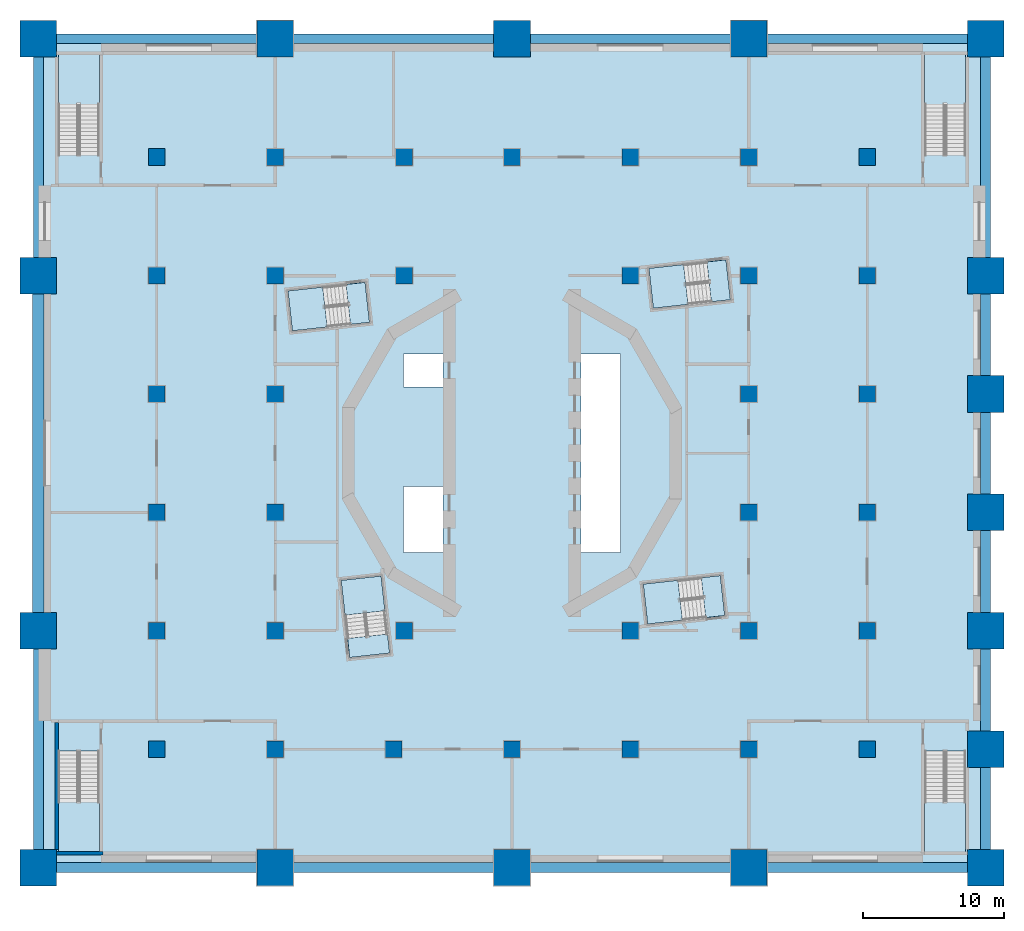
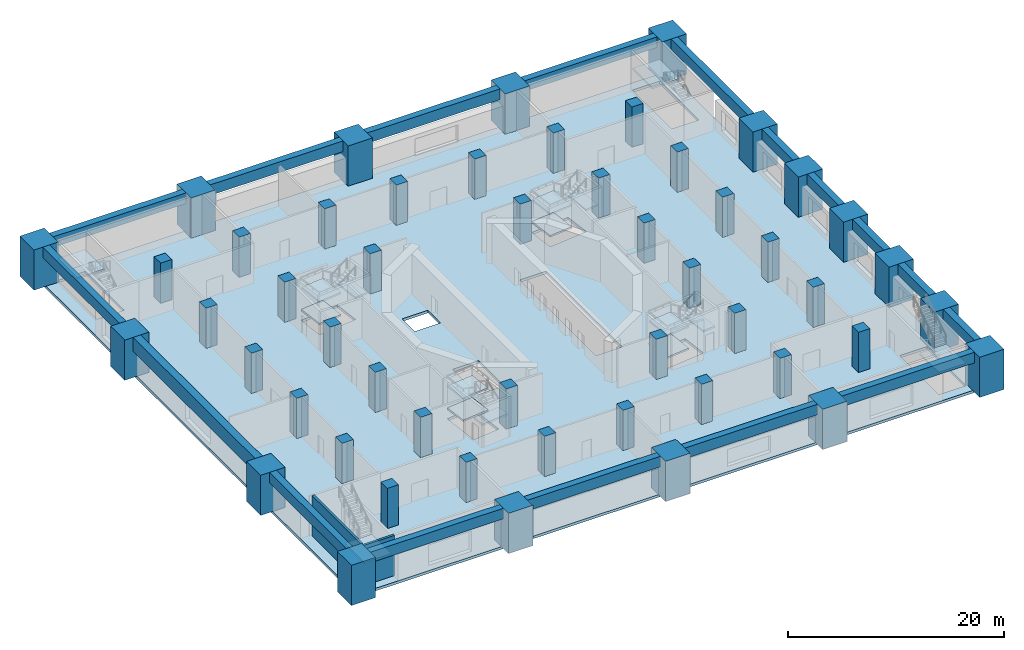
# One storey, part 1 of 17: 51 columns, 17 beams, 17 slabs, 2 walls, 8 elements without a shape of their own.
"""IFC4 building model written with IfcOpenShell, lengths in metres."""

import ifcopenshell
import ifcopenshell.guid

model = None  # the IFC model being written
_history = None  # IfcOwnerHistory: only IFC2X3 demands one
_inside = {}  # id of a spatial element -> (the spatial element, [elements in it])
_under = {}  # id of a project, library or spatial element -> (it, [spatial elements below it])
_declared = {}  # id of a project -> (the project, [libraries it declares])
_typed = {}  # id of a type object -> (the type object, [elements of that type])
_made_of = {}  # id of a material, layer set ... -> (it, [elements and type objects made of it])


def new_model(schema):
    """Start an empty IFC model of exactly this schema.

    Asked for "IFC4X3", IfcOpenShell would pick the latest addendum, in which some entities
    have other attributes; the version numbers below select the first issue.
    IFC2X3 requires an IfcOwnerHistory on every rooted entity: one is made here for all.
    """
    global model, _history
    if schema == "IFC4X3":
        model = ifcopenshell.file(schema_version=(4, 3, 0, 0))
    else:
        model = ifcopenshell.file(schema=schema)
    _inside.clear()
    _under.clear()
    _declared.clear()
    _typed.clear()
    _made_of.clear()
    _history = None
    if model.schema == "IFC2X3":
        org = make("IfcOrganization", Name="unknown")
        user = make(
            "IfcPersonAndOrganization",
            ThePerson=make("IfcPerson", FamilyName="unknown"),
            TheOrganization=org,
        )
        app = make(
            "IfcApplication",
            ApplicationDeveloper=org,
            Version="unknown",
            ApplicationFullName="unknown",
            ApplicationIdentifier="unknown",
        )
        _history = make(
            "IfcOwnerHistory",
            OwningUser=user,
            OwningApplication=app,
            ChangeAction="ADDED",
            CreationDate=0,
        )
    return model


def make(cls, **values):
    """One entity of the class cls with the attributes given. An attribute that is None is left unset."""
    return model.create_entity(
        cls, **{name: value for name, value in values.items() if value is not None}
    )


def rooted(cls, **values):
    """An entity with a GlobalId (a new one), such as an element, a storey or a relation."""
    return make(cls, GlobalId=ifcopenshell.guid.new(), OwnerHistory=_history, **values)


def si_unit(unit_type, name, prefix=None):
    """IfcSIUnit, for example si_unit("LENGTHUNIT", "METRE", prefix="MILLI")."""
    return make("IfcSIUnit", UnitType=unit_type, Prefix=prefix, Name=name)


def assignment(units):
    """IfcUnitAssignment: the units of a project."""
    return None if units is None else make("IfcUnitAssignment", Units=units)


def point(xyz):
    """IfcCartesianPoint."""
    return None if xyz is None else make("IfcCartesianPoint", Coordinates=xyz)


def direction(xyz):
    """IfcDirection."""
    return None if xyz is None else make("IfcDirection", DirectionRatios=xyz)


def frame(location, z_axis=None, x_axis=None):
    """IfcAxis2Placement3D, a coordinate frame: its origin and axes. An axis left out is left unset."""
    return make(
        "IfcAxis2Placement3D",
        Location=point(location),
        Axis=direction(z_axis),
        RefDirection=direction(x_axis),
    )


def frame_2d(location, x_axis=None):
    """IfcAxis2Placement2D, a coordinate frame in the plane: its origin and x axis."""
    return make(
        "IfcAxis2Placement2D", Location=point(location), RefDirection=direction(x_axis)
    )


def origin():
    """The frame at (0, 0, 0) with its axes left unset."""
    return frame((0.0, 0.0, 0.0))


def origin_2d():
    """The frame at (0, 0) in the plane with its x axis left unset."""
    return frame_2d((0.0, 0.0))


def place(relative_to, where):
    """IfcLocalPlacement: puts the frame where relative to a parent placement (None: the world)."""
    return make(
        "IfcLocalPlacement", PlacementRelTo=relative_to, RelativePlacement=where
    )


def context(
    kind, dimensions, precision=None, world=None, true_north=None, identifier=None
):
    """IfcGeometricRepresentationContext, for example the 3D "Model" context."""
    return make(
        "IfcGeometricRepresentationContext",
        ContextIdentifier=identifier,
        ContextType=kind,
        CoordinateSpaceDimension=dimensions,
        Precision=precision,
        WorldCoordinateSystem=world,
        TrueNorth=true_north,
    )


def subcontext(parent, identifier, kind, view, scale=None):
    """IfcGeometricRepresentationSubContext, for example "Body" below "Model"."""
    return make(
        "IfcGeometricRepresentationSubContext",
        ContextIdentifier=identifier,
        ContextType=kind,
        ParentContext=parent,
        TargetScale=scale,
        TargetView=view,
    )


def project(units=None, contexts=None):
    """IfcProject with its units and contexts."""
    return rooted(
        "IfcProject",
        Name="project",
        RepresentationContexts=contexts,
        UnitsInContext=assignment(units),
    )


def spatial(cls, under=None, at=None, **own):
    """A site, building, storey or space (cls), placed at a placement, below another one or the project."""
    s = rooted(cls, ObjectPlacement=at, **own)
    if under is not None:
        _under.setdefault(under.id(), (under, []))[1].append(s)
    return s


def polyline(points):
    """IfcPolyline through the points."""
    return make("IfcPolyline", Points=[point(p) for p in points])


def profile(cls, at=None, kind="AREA", **sizes):
    """A parametric profile (cls). Its sizes go by their IFC names, for example OverallWidth=200.0."""
    return make(cls, ProfileType=kind, Position=at, **sizes)


def rectangle(**sizes):
    """IfcRectangleProfileDef."""
    return profile("IfcRectangleProfileDef", **sizes)


def outline(outer, holes=None, kind="AREA"):
    """IfcArbitraryClosedProfileDef: a profile drawn as a closed curve; with holes, ...WithVoids."""
    if holes is None:
        return make("IfcArbitraryClosedProfileDef", ProfileType=kind, OuterCurve=outer)
    return make(
        "IfcArbitraryProfileDefWithVoids",
        ProfileType=kind,
        OuterCurve=outer,
        InnerCurves=holes,
    )


def extrude(swept, where, along, depth):
    """IfcExtrudedAreaSolid: the profile swept, set in the frame where, extruded along a direction by depth."""
    return make(
        "IfcExtrudedAreaSolid",
        SweptArea=swept,
        Position=where,
        ExtrudedDirection=direction(along),
        Depth=depth,
    )


def shape(context_of_items, identifier, shape_type, items):
    """IfcShapeRepresentation: the items that make up one representation, for example the "Body"."""
    return make(
        "IfcShapeRepresentation",
        ContextOfItems=context_of_items,
        RepresentationIdentifier=identifier,
        RepresentationType=shape_type,
        Items=items,
    )


def material(Name=None, Category=None):
    """IfcMaterial."""
    return make("IfcMaterial", Name=Name, Category=Category)


def layer(
    of_material, thickness, ventilated=None, Name=None, Category=None, Priority=None
):
    """IfcMaterialLayer: one layer of a wall or slab, of a material (None: an air gap)."""
    return make(
        "IfcMaterialLayer",
        Material=of_material,
        LayerThickness=thickness,
        IsVentilated=ventilated,
        Name=Name,
        Category=Category,
        Priority=Priority,
    )


def layer_set(layers, Name=None):
    """IfcMaterialLayerSet."""
    return make("IfcMaterialLayerSet", MaterialLayers=layers, LayerSetName=Name)


def material_profile(
    of_material, cross_section, Name=None, Category=None, Priority=None
):
    """IfcMaterialProfile: a cross section and its material."""
    return make(
        "IfcMaterialProfile",
        Name=Name,
        Material=of_material,
        Profile=cross_section,
        Priority=Priority,
        Category=Category,
    )


def profile_set(profiles, Name=None, composite=None):
    """IfcMaterialProfileSet."""
    return make(
        "IfcMaterialProfileSet",
        Name=Name,
        MaterialProfiles=profiles,
        CompositeProfile=composite,
    )


def made_of(thing, what):
    """Note that an element or type object is made of a material, layer set ...; save() writes the relation."""
    if what is not None:
        _made_of.setdefault(what.id(), (what, []))[1].append(thing)
    return thing


def type_object(cls, material=None, **own):
    """A type object (cls), such as IfcWallType, which elements share."""
    return made_of(rooted(cls, **own), material)


def element(
    cls,
    number,
    at=None,
    inside=None,
    cuts=None,
    type_object=None,
    material=None,
    context=None,
    identifier="Body",
    shape_type=None,
    held_by="IfcProductDefinitionShape",
    body=None,
    shapes=None,
    **own,
):
    """One element of the class cls, such as IfcWall. Its Tag is "e" and its number.

    at: its placement. inside: the storey or other place that contains it. cuts: it is an
    opening in that element (IfcRelVoidsElement). A single representation is given by context,
    identifier, shape_type and body (its items); several are given by shapes. held_by: the class
    of the entity that holds the representations. save() writes the other relations.
    """
    e = rooted(cls, Tag="e%d" % number, ObjectPlacement=at, **own)
    if body is not None:
        shapes = [shape(context, identifier, shape_type, body)]
    if shapes is not None:
        e.Representation = make(held_by, Representations=shapes)
    if inside is not None:
        _inside.setdefault(inside.id(), (inside, []))[1].append(e)
    if cuts is not None:
        rooted(
            "IfcRelVoidsElement", RelatingBuildingElement=cuts, RelatedOpeningElement=e
        )
    if type_object is not None:
        _typed.setdefault(type_object.id(), (type_object, []))[1].append(e)
    return made_of(e, material)


def aggregate(whole, parts):
    """IfcRelAggregates: a whole, such as a stair, and the parts it consists of."""
    return rooted("IfcRelAggregates", RelatingObject=whole, RelatedObjects=parts)


def save(model, path):
    """Write the relations noted so far, then the file.

    IfcRelAggregates (storeys below a building ...), IfcRelContainedInSpatialStructure (elements
    in a storey), IfcRelDefinesByType, IfcRelAssociatesMaterial and IfcRelDeclares: one each for
    every whole, place, type object, material and project.
    """
    for whole, parts in _under.values():
        aggregate(whole, parts)
    for where, things in _inside.values():
        rooted(
            "IfcRelContainedInSpatialStructure",
            RelatedElements=things,
            RelatingStructure=where,
        )
    for kind, things in _typed.values():
        rooted("IfcRelDefinesByType", RelatedObjects=things, RelatingType=kind)
    for what, things in _made_of.values():
        rooted("IfcRelAssociatesMaterial", RelatedObjects=things, RelatingMaterial=what)
    for by, libraries in _declared.values():
        rooted("IfcRelDeclares", RelatingContext=by, RelatedDefinitions=libraries)
    model.write(path)


model = new_model("IFC4")

# Units and contexts
model_context = context("Model", 3, precision=1e-05, world=origin(), true_north=direction((0.0, 1.0)))
body_context = subcontext(model_context, "Body", "Model", "MODEL_VIEW")
ifc_project = project(units=[si_unit("LENGTHUNIT", "METRE"), si_unit("AREAUNIT", "SQUARE_METRE"), si_unit("VOLUMEUNIT", "CUBIC_METRE"), si_unit("PLANEANGLEUNIT", "RADIAN"), si_unit("MASSUNIT", "GRAM", prefix="KILO")], contexts=[model_context])

# Site, building, storey
site_placement = place(None, origin())
site = spatial("IfcSite", under=ifc_project, at=site_placement, CompositionType="ELEMENT")
building_placement = place(site_placement, origin())
building = spatial("IfcBuilding", under=site, at=building_placement, Name="Cantera Rosa Tower", CompositionType="ELEMENT")
storey_placement = place(building_placement, frame((0.0, 0.0, 32.0)))
storey = spatial("IfcBuildingStorey", under=building, at=storey_placement, Name="L05", CompositionType="ELEMENT", Elevation=32.0)

# Columns
ifc_material_1 = material(Name="Concrete C60/75", Category="concrete")
ifc_material_profile_1 = material_profile(ifc_material_1, rectangle(XDim=1.199951171875, YDim=1.199951171875, at=origin_2d()), Name="Column 1200x1200")
ifc_profile_set_1 = profile_set([ifc_material_profile_1], Name="Concrete C60/75")
column_type_1 = type_object("IfcColumnType", Name="Column 1200x1200", PredefinedType="COLUMN", material=ifc_profile_set_1)
for number, where, z_axis, x_axis, name in (
    (1, (-25.199951171875, -21.0, 0.0), (0.0, 0.0, 1.0), (1.0, 0.0, 0.0), "Column C-P-2B"),
    (2, (-25.199951171875, -12.60009765625, 0.0), (0.0, 0.0, 1.0), (1.0, 0.0, 0.0), "Column C-P-2C"),
    (3, (-25.199951171875, -4.199951171875, 0.0), (0.0, 0.0, 1.0), (1.0, 0.0, 0.0), "Column C-P-2D"),
    (4, (-25.199951171875, 4.199951171875, 0.0), (0.0, 0.0, 1.0), (1.0, 0.0, 0.0), "Column C-P-2E"),
    (5, (-25.199951171875, 12.60009765625, 0.0), (0.0, 0.0, 1.0), (1.0, 0.0, 0.0), "Column C-P-2F"),
    (6, (-25.199951171875, 21.0, 0.0), (0.0, 0.0, 1.0), (1.0, 0.0, 0.0), "Column C-P-2G"),
    (7, (-16.800048828125, -21.0, 0.0), (0.0, 0.0, 1.0), (1.0, 0.0, 0.0), "Column C-P-3B"),
    (8, (-16.800048828125, -12.60009765625, 0.0), (0.0, 0.0, 1.0), (1.0, 0.0, 0.0), "Column C-P-3C"),
    (9, (-16.800048828125, -4.199951171875, 0.0), (0.0, 0.0, 1.0), (1.0, 0.0, 0.0), "Column C-P-3D"),
    (10, (-16.800048828125, 4.199951171875, 0.0), (0.0, 0.0, 1.0), (1.0, 0.0, 0.0), "Column C-P-3E"),
    (11, (-16.800048828125, 12.60009765625, 0.0), (0.0, 0.0, 1.0), (1.0, 0.0, 0.0), "Column C-P-3F"),
    (12, (-16.800048828125, 21.0, 0.0), (0.0, 0.0, 1.0), (1.0, 0.0, 0.0), "Column C-P-3G"),
    (13, (-8.39990234375, -21.0, 0.0), (0.0, 0.0, 1.0), (1.0, 0.0, 0.0), "Column C-P-4B"),
    (14, (-7.64990234375, -12.60009765625, 0.0), (0.0, 0.0, 1.0), (1.0, 0.0, 0.0), "Column C-P-4C"),
    (15, (-7.64990234375, 12.60009765625, 0.0), (0.0, 0.0, 1.0), (1.0, 0.0, 0.0), "Column C-B-4N2"),
    (16, (-7.64990234375, 21.0, 0.0), (0.0, 0.0, 1.0), (1.0, 0.0, 0.0), "Column C-B-4N3"),
    (17, (0.0, -21.0, 0.0), (0.0, 0.0, 1.0), (1.0, 0.0, 0.0), "Column C-P-5B"),
    (18, (0.0, 21.0, 0.0), (0.0, 0.0, 1.0), (1.0, 0.0, 0.0), "Column C-P-5G"),
    (19, (8.39990234375, -21.0, 0.0), (0.0, 0.0, 1.0), (1.0, 0.0, 0.0), "Column C-P-6B"),
    (20, (8.39990234375, -12.60009765625, 0.0), (0.0, 0.0, 1.0), (1.0, 0.0, 0.0), "Column C-P-6C"),
    (21, (8.39990234375, 12.60009765625, 0.0), (0.0, 0.0, 1.0), (1.0, 0.0, 0.0), "Column C-P-6F"),
    (22, (8.39990234375, 21.0, 0.0), (0.0, 0.0, 1.0), (1.0, 0.0, 0.0), "Column C-P-6G"),
    (23, (16.800048828125, -21.0, 0.0), (0.0, 0.0, 1.0), (1.0, 0.0, 0.0), "Column C-P-7B"),
    (24, (16.800048828125, -12.60009765625, 0.0), (0.0, 0.0, 1.0), (1.0, 0.0, 0.0), "Column C-P-7C"),
    (25, (16.800048828125, -4.199951171875, 0.0), (0.0, 0.0, 1.0), (1.0, 0.0, 0.0), "Column C-P-7D"),
    (26, (16.800048828125, 4.199951171875, 0.0), (0.0, 0.0, 1.0), (1.0, 0.0, 0.0), "Column C-P-7E"),
    (27, (16.800048828125, 12.60009765625, 0.0), (0.0, 0.0, 1.0), (1.0, 0.0, 0.0), "Column C-P-7F"),
    (28, (16.800048828125, 21.0, 0.0), (0.0, 0.0, 1.0), (1.0, 0.0, 0.0), "Column C-P-7G"),
    (29, (25.199951171875, -21.0, 0.0), (0.0, 0.0, 1.0), (1.0, 0.0, 0.0), "Column C-P-8B"),
    (30, (25.199951171875, -12.60009765625, 0.0), (0.0, 0.0, 1.0), (1.0, 0.0, 0.0), "Column C-P-8C"),
    (31, (25.199951171875, -4.199951171875, 0.0), (0.0, 0.0, 1.0), (1.0, 0.0, 0.0), "Column C-P-8D"),
    (32, (25.199951171875, 4.199951171875, 0.0), (0.0, 0.0, 1.0), (1.0, 0.0, 0.0), "Column C-P-8E"),
    (33, (25.199951171875, 12.60009765625, 0.0), (0.0, 0.0, 1.0), (1.0, 0.0, 0.0), "Column C-P-8F"),
    (34, (25.199951171875, 21.0, 0.0), (0.0, 0.0, 1.0), (1.0, 0.0, 0.0), "Column C-P-8G"),
):
    element("IfcColumn", number, at=place(storey_placement, frame(where, z_axis=z_axis, x_axis=x_axis)), inside=storey, type_object=column_type_1, Name=name, PredefinedType="COLUMN", context=body_context, shape_type="SweptSolid", body=[
        extrude(rectangle(XDim=1.199951171875, YDim=1.199951171875, at=origin_2d()), origin(), (0.0, 0.0, 1.0), 4.550048828125),
    ])
ifc_material_2 = material(Name="Concrete C60/75", Category="concrete")
ifc_material_profile_2 = material_profile(ifc_material_2, rectangle(XDim=2.60009765625, YDim=2.60009765625, at=origin_2d()), Name="Stone pier 2600x2600")
ifc_profile_set_2 = profile_set([ifc_material_profile_2], Name="Concrete C60/75")
column_type_2 = type_object("IfcColumnType", Name="Stone pier 2600x2600", PredefinedType="COLUMN", material=ifc_profile_set_2)
for number, where, z_axis, x_axis, name in (
    (35, (-33.60009765625, -29.39990234375, 0.0), (0.0, 0.0, 1.0), (1.0, 0.0, 0.0), "Column C-P-1A"),
    (36, (-33.60009765625, -12.60009765625, 0.0), (0.0, 0.0, 1.0), (1.0, 0.0, 0.0), "Column C-P-1C"),
    (37, (-33.60009765625, 12.60009765625, 0.0), (0.0, 0.0, 1.0), (1.0, 0.0, 0.0), "Column C-P-1F"),
    (38, (-33.60009765625, 29.39990234375, 0.0), (0.0, 0.0, 1.0), (1.0, 0.0, 0.0), "Column C-P-1H"),
    (39, (-16.800048828125, -29.39990234375, 0.0), (0.0, 0.0, 1.0), (1.0, 0.0, 0.0), "Column C-P-3A"),
    (40, (-16.800048828125, 29.39990234375, 0.0), (0.0, 0.0, 1.0), (1.0, 0.0, 0.0), "Column C-P-3H"),
    (41, (0.0, -29.39990234375, 0.0), (0.0, 0.0, 1.0), (1.0, 0.0, 0.0), "Column C-P-5A"),
    (42, (0.0, 29.39990234375, 0.0), (0.0, 0.0, 1.0), (1.0, 0.0, 0.0), "Column C-P-5H"),
    (43, (16.800048828125, -29.39990234375, 0.0), (0.0, 0.0, 1.0), (1.0, 0.0, 0.0), "Column C-P-7A"),
    (44, (16.800048828125, 29.39990234375, 0.0), (0.0, 0.0, 1.0), (1.0, 0.0, 0.0), "Column C-P-7H"),
    (45, (33.60009765625, -29.39990234375, 0.0), (0.0, 0.0, 1.0), (1.0, 0.0, 0.0), "Column C-P-9A"),
    (46, (33.60009765625, -21.0, 0.0), (0.0, 0.0, 1.0), (1.0, 0.0, 0.0), "Column C-P-9B"),
    (47, (33.60009765625, -12.60009765625, 0.0), (0.0, 0.0, 1.0), (1.0, 0.0, 0.0), "Column C-P-9C"),
    (48, (33.60009765625, -4.199951171875, 0.0), (0.0, 0.0, 1.0), (1.0, 0.0, 0.0), "Column C-P-9D"),
    (49, (33.60009765625, 4.199951171875, 0.0), (0.0, 0.0, 1.0), (1.0, 0.0, 0.0), "Column C-P-9E"),
    (50, (33.60009765625, 12.60009765625, 0.0), (0.0, 0.0, 1.0), (1.0, 0.0, 0.0), "Column C-P-9F"),
    (51, (33.60009765625, 29.39990234375, 0.0), (0.0, 0.0, 1.0), (1.0, 0.0, 0.0), "Column C-P-9H"),
):
    element("IfcColumn", number, at=place(storey_placement, frame(where, z_axis=z_axis, x_axis=x_axis)), inside=storey, type_object=column_type_2, Name=name, PredefinedType="COLUMN", context=body_context, shape_type="SweptSolid", body=[
        extrude(rectangle(XDim=2.60009765625, YDim=2.60009765625, at=origin_2d()), origin(), (0.0, 0.0, 1.0), 4.550048828125),
    ])

# Beams
ifc_material_3 = material(Name="Concrete C50/60", Category="concrete")
ifc_material_profile_3 = material_profile(ifc_material_3, rectangle(XDim=0.699951171875, YDim=1.199951171875, at=origin_2d()), Name="Edge girder 700x1200")
ifc_profile_set_3 = profile_set([ifc_material_profile_3], Name="Concrete C50/60")
beam_type_1 = type_object("IfcBeamType", Name="Edge girder 700x1200", PredefinedType="BEAM", material=ifc_profile_set_3)
beam_1_placement = place(storey_placement, frame((-33.60009765625, -28.10009765625, 3.949951171875), z_axis=(0.0, 1.0, 0.0), x_axis=(-1.0, 0.0, 0.0)))
element("IfcBeam", 52, at=beam_1_placement, inside=storey, type_object=beam_type_1, Name="Edge girder L05-01", PredefinedType="BEAM", context=body_context, shape_type="SweptSolid", body=[
    extrude(rectangle(XDim=0.699951171875, YDim=1.199951171875, at=origin_2d()), origin(), (0.0, 0.0, 1.0), 14.2001953125),
])
beam_2_placement = place(storey_placement, frame((-32.300048828125, -29.39990234375, 3.949951171875), z_axis=(1.0, 0.0, 0.0), x_axis=(0.0, 1.0, 0.0)))
element("IfcBeam", 53, at=beam_2_placement, inside=storey, type_object=beam_type_1, Name="Edge girder L05-02", PredefinedType="BEAM", context=body_context, shape_type="SweptSolid", body=[
    extrude(rectangle(XDim=0.699951171875, YDim=1.199951171875, at=origin_2d()), origin(), (0.0, 0.0, 1.0), 14.199951171875),
])
beam_3_placement = place(storey_placement, frame((-33.60009765625, 13.89990234375, 3.949951171875), z_axis=(0.0, 1.0, 0.0), x_axis=(-1.0, 0.0, 0.0)))
element("IfcBeam", 54, at=beam_3_placement, inside=storey, type_object=beam_type_1, Name="Edge girder L05-04", PredefinedType="BEAM", context=body_context, shape_type="SweptSolid", body=[
    extrude(rectangle(XDim=0.699951171875, YDim=1.199951171875, at=origin_2d()), origin(), (0.0, 0.0, 1.0), 14.2001953125),
])
for number, where, z_axis, x_axis, name in (
    (55, (-32.300048828125, 29.39990234375, 3.949951171875), (1.0, 0.0, 0.0), (0.0, 1.0, 0.0), "Edge girder L05-05"),
    (56, (-15.5, -29.39990234375, 3.949951171875), (1.0, 0.0, 0.0), (0.0, 1.0, 0.0), "Edge girder L05-06"),
    (57, (-15.5, 29.39990234375, 3.949951171875), (1.0, 0.0, 0.0), (0.0, 1.0, 0.0), "Edge girder L05-07"),
    (58, (1.300048828125, -29.39990234375, 3.949951171875), (1.0, 0.0, 0.0), (0.0, 1.0, 0.0), "Edge girder L05-08"),
    (59, (1.300048828125, 29.39990234375, 3.949951171875), (1.0, 0.0, 0.0), (0.0, 1.0, 0.0), "Edge girder L05-09"),
    (60, (18.10009765625, -29.39990234375, 3.949951171875), (1.0, 0.0, 0.0), (0.0, 1.0, 0.0), "Edge girder L05-10"),
    (61, (18.10009765625, 29.39990234375, 3.949951171875), (1.0, 0.0, 0.0), (0.0, 1.0, 0.0), "Edge girder L05-11"),
):
    element("IfcBeam", number, at=place(storey_placement, frame(where, z_axis=z_axis, x_axis=x_axis)), inside=storey, type_object=beam_type_1, Name=name, PredefinedType="BEAM", context=body_context, shape_type="SweptSolid", body=[
        extrude(rectangle(XDim=0.699951171875, YDim=1.199951171875, at=origin_2d()), origin(), (0.0, 0.0, 1.0), 14.199951171875),
    ])
for number, where, z_axis, x_axis, name in (
    (62, (33.60009765625, -28.10009765625, 3.949951171875), (0.0, 1.0, 0.0), (-1.0, 0.0, 0.0), "Edge girder L05-12"),
    (63, (33.60009765625, -19.699951171875, 3.949951171875), (0.0, 1.0, 0.0), (-1.0, 0.0, 0.0), "Edge girder L05-13"),
    (64, (33.60009765625, -11.300048828125, 3.949951171875), (0.0, 1.0, 0.0), (-1.0, 0.0, 0.0), "Edge girder L05-14"),
):
    element("IfcBeam", number, at=place(storey_placement, frame(where, z_axis=z_axis, x_axis=x_axis)), inside=storey, type_object=beam_type_1, Name=name, PredefinedType="BEAM", context=body_context, shape_type="SweptSolid", body=[
        extrude(rectangle(XDim=0.699951171875, YDim=1.199951171875, at=origin_2d()), origin(), (0.0, 0.0, 1.0), 5.800048828125),
    ])
beam_4_placement = place(storey_placement, frame((33.60009765625, -2.89990234375, 3.949951171875), z_axis=(0.0, 1.0, 0.0), x_axis=(-1.0, 0.0, 0.0)))
element("IfcBeam", 65, at=beam_4_placement, inside=storey, type_object=beam_type_1, Name="Edge girder L05-15", PredefinedType="BEAM", context=body_context, shape_type="SweptSolid", body=[
    extrude(rectangle(XDim=0.699951171875, YDim=1.199951171875, at=origin_2d()), origin(), (0.0, 0.0, 1.0), 5.7998046875),
])
beam_5_placement = place(storey_placement, frame((33.60009765625, 5.5, 3.949951171875), z_axis=(0.0, 1.0, 0.0), x_axis=(-1.0, 0.0, 0.0)))
element("IfcBeam", 66, at=beam_5_placement, inside=storey, type_object=beam_type_1, Name="Edge girder L05-16", PredefinedType="BEAM", context=body_context, shape_type="SweptSolid", body=[
    extrude(rectangle(XDim=0.699951171875, YDim=1.199951171875, at=origin_2d()), origin(), (0.0, 0.0, 1.0), 5.800048828125),
])
beam_6_placement = place(storey_placement, frame((33.60009765625, 13.89990234375, 3.949951171875), z_axis=(0.0, 1.0, 0.0), x_axis=(-1.0, 0.0, 0.0)))
element("IfcBeam", 67, at=beam_6_placement, inside=storey, type_object=beam_type_1, Name="Edge girder L05-17", PredefinedType="BEAM", context=body_context, shape_type="SweptSolid", body=[
    extrude(rectangle(XDim=0.699951171875, YDim=1.199951171875, at=origin_2d()), origin(), (0.0, 0.0, 1.0), 14.2001953125),
])
ifc_material_4 = material(Name="Concrete C50/60", Category="concrete")
ifc_material_profile_4 = material_profile(ifc_material_4, rectangle(XDim=0.800048828125, YDim=1.60009765625, at=origin_2d()), Name="Edge girder 800x1600")
ifc_profile_set_4 = profile_set([ifc_material_profile_4], Name="Concrete C50/60")
beam_type_2 = type_object("IfcBeamType", Name="Edge girder 800x1600", PredefinedType="BEAM", material=ifc_profile_set_4)
beam_7_placement = place(storey_placement, frame((-33.60009765625, -11.300048828125, 3.75), z_axis=(0.0, 1.0, 0.0), x_axis=(-1.0, 0.0, 0.0)))
element("IfcBeam", 68, at=beam_7_placement, inside=storey, type_object=beam_type_2, Name="Edge girder L05-03", PredefinedType="BEAM", context=body_context, shape_type="SweptSolid", body=[
    extrude(rectangle(XDim=0.800048828125, YDim=1.60009765625, at=origin_2d()), origin(), (0.0, 0.0, 1.0), 22.60009765625),
])

# Slab
ifc_material_5 = material(Name="Concrete C35/45", Category="concrete")
ifc_layer_1 = layer(ifc_material_5, 0.300048828125)
ifc_layer_set_1 = layer_set([ifc_layer_1], Name="Flat slab 300")
slab_type_1 = type_object("IfcSlabType", Name="Flat slab 300", PredefinedType="FLOOR", material=ifc_layer_set_1)
slab_1_placement = place(storey_placement, frame((0.0, 0.0, -0.300048828125)))
element("IfcSlab", 69, at=slab_1_placement, inside=storey, type_object=slab_type_1, Name="Floor slab L05", PredefinedType="FLOOR", context=body_context, shape_type="SweptSolid", body=[
    extrude(outline(polyline([(-33.60009765625, -29.39990234375), (33.60009765625, -29.39990234375), (33.60009765625, 29.39990234375), (-33.60009765625, 29.39990234375), (-33.60009765625, -29.39990234375)]), holes=[polyline([(29.27490234375, -28.375), (32.175048828125, -28.375), (32.175048828125, -21.136962890625), (29.27490234375, -21.136962890625), (29.27490234375, -28.375)]), polyline([(32.175048828125, 21.136962890625), (32.175048828125, 28.375), (29.27490234375, 28.375), (29.27490234375, 21.136962890625), (32.175048828125, 21.136962890625)]), polyline([(13.822265625, 13.5693359375), (9.709716796875, 13.11279296875), (10.02392578125, 10.2802734375), (14.13671875, 10.73681640625), (13.822265625, 13.5693359375)]), polyline([(9.3095703125, -9.287109375), (9.6240234375, -12.11962890625), (13.73681640625, -11.6630859375), (13.42236328125, -8.83056640625), (9.3095703125, -9.287109375)]), polyline([(4.89990234375, -7.050048828125), (7.699951171875, -7.050048828125), (7.699951171875, 7.050048828125), (4.89990234375, 7.050048828125), (4.89990234375, -7.050048828125)]), polyline([(-7.699951171875, -7.050048828125), (-4.89990234375, -7.050048828125), (-4.89990234375, -2.35009765625), (-7.699951171875, -2.35009765625), (-7.699951171875, -7.050048828125)]), polyline([(-4.89990234375, 7.050048828125), (-7.699951171875, 7.050048828125), (-7.699951171875, 4.699951171875), (-4.89990234375, 4.699951171875), (-4.89990234375, 7.050048828125)]), polyline([(-9.287109375, -8.709716796875), (-12.11962890625, -9.02392578125), (-11.6630859375, -13.13671875), (-8.83056640625, -12.822265625), (-9.287109375, -8.709716796875)]), polyline([(-15.890380859375, 11.512939453125), (-15.575927734375, 8.680419921875), (-11.46337890625, 9.13671875), (-11.777587890625, 11.969482421875), (-15.890380859375, 11.512939453125)]), polyline([(-32.175048828125, -28.375), (-29.27490234375, -28.375), (-29.27490234375, -21.136962890625), (-32.175048828125, -21.136962890625), (-32.175048828125, -28.375)]), polyline([(-29.27490234375, 28.375), (-32.175048828125, 28.375), (-32.175048828125, 21.136962890625), (-29.27490234375, 21.136962890625), (-29.27490234375, 28.375)])]), origin(), (0.0, 0.0, 1.0), 0.300048828125),
])

# Stair, slabs
ifc_material_6 = material(Name="Concrete C35/45", Category="concrete")
stair_type_1 = type_object("IfcStairType", Name="EXIT STAIR 1350 DOGLEG", PredefinedType="HALF_TURN_STAIR", material=ifc_material_6)
stair_1_placement = place(storey_placement, origin())
stair_1 = element("IfcStair", 70, at=stair_1_placement, inside=storey, type_object=stair_type_1, Name="L05 ST-11", PredefinedType="HALF_TURN_STAIR")
ifc_material_7 = material(Name="Concrete C35/45", Category="concrete")
ifc_layer_2 = layer(ifc_material_7, 0.199951171875)
ifc_layer_set_2 = layer_set([ifc_layer_2], Name="STAIR LANDING 200")
slab_type_2 = type_object("IfcSlabType", Name="STAIR LANDING 200", PredefinedType="LANDING", material=ifc_layer_set_2)
slab_2_placement = place(storey_placement, frame((0.0, 0.0, 1.050048828125)))
slab_2 = element("IfcSlab", 71, at=slab_2_placement, type_object=slab_type_2, Name="ST-11 landing 1", PredefinedType="LANDING", context=body_context, shape_type="SweptSolid", body=[
    extrude(outline(polyline([(12.176513671875, 13.38671875), (9.70947265625, 13.113037109375), (10.02392578125, 10.2802734375), (12.49072265625, 10.55419921875), (12.176513671875, 13.38671875)])), origin(), (0.0, 0.0, 1.0), 0.199951171875),
])
slab_3_placement = place(storey_placement, frame((0.0, 0.0, 2.300048828125)))
slab_3 = element("IfcSlab", 72, at=slab_3_placement, type_object=slab_type_2, Name="ST-11 landing 2", PredefinedType="LANDING", context=body_context, shape_type="SweptSolid", body=[
    extrude(outline(polyline([(15.176025390625, 13.7197265625), (13.822265625, 13.5693359375), (14.13671875, 10.73681640625), (15.490478515625, 10.886962890625), (15.176025390625, 13.7197265625)])), origin(), (0.0, 0.0, 1.0), 0.199951171875),
])
slab_4_placement = place(storey_placement, frame((0.0, 0.0, 3.550048828125)))
slab_4 = element("IfcSlab", 73, at=slab_4_placement, type_object=slab_type_2, Name="ST-11 landing 3", PredefinedType="LANDING", context=body_context, shape_type="SweptSolid", body=[
    extrude(outline(polyline([(12.176513671875, 13.38671875), (9.70947265625, 13.113037109375), (10.02392578125, 10.2802734375), (12.49072265625, 10.55419921875), (12.176513671875, 13.38671875)])), origin(), (0.0, 0.0, 1.0), 0.199951171875),
])
aggregate(stair_1, [slab_2, slab_3, slab_4])

stair_2_placement = place(storey_placement, origin())
stair_2 = element("IfcStair", 74, at=stair_2_placement, inside=storey, type_object=stair_type_1, Name="L05 ST-12", PredefinedType="HALF_TURN_STAIR")
slab_5_placement = place(storey_placement, frame((0.0, 0.0, 1.050048828125)))
slab_5 = element("IfcSlab", 75, at=slab_5_placement, type_object=slab_type_2, Name="ST-12 landing 1", PredefinedType="LANDING", context=body_context, shape_type="SweptSolid", body=[
    extrude(outline(polyline([(-13.423583984375, 11.78662109375), (-15.890380859375, 11.512939453125), (-15.575927734375, 8.680419921875), (-13.109130859375, 8.9541015625), (-13.423583984375, 11.78662109375)])), origin(), (0.0, 0.0, 1.0), 0.199951171875),
])
slab_6_placement = place(storey_placement, frame((0.0, 0.0, 2.300048828125)))
slab_6 = element("IfcSlab", 76, at=slab_6_placement, type_object=slab_type_2, Name="ST-12 landing 2", PredefinedType="LANDING", context=body_context, shape_type="SweptSolid", body=[
    extrude(outline(polyline([(-10.424072265625, 12.11962890625), (-11.777587890625, 11.969482421875), (-11.46337890625, 9.13671875), (-10.109619140625, 9.287109375), (-10.424072265625, 12.11962890625)])), origin(), (0.0, 0.0, 1.0), 0.199951171875),
])
slab_7_placement = place(storey_placement, frame((0.0, 0.0, 3.550048828125)))
slab_7 = element("IfcSlab", 77, at=slab_7_placement, type_object=slab_type_2, Name="ST-12 landing 3", PredefinedType="LANDING", context=body_context, shape_type="SweptSolid", body=[
    extrude(outline(polyline([(-13.423583984375, 11.78662109375), (-15.890380859375, 11.512939453125), (-15.575927734375, 8.680419921875), (-13.109130859375, 8.9541015625), (-13.423583984375, 11.78662109375)])), origin(), (0.0, 0.0, 1.0), 0.199951171875),
])
aggregate(stair_2, [slab_5, slab_6, slab_7])

stair_3_placement = place(storey_placement, origin())
stair_3 = element("IfcStair", 78, at=stair_3_placement, inside=storey, type_object=stair_type_1, Name="L05 ST-13", PredefinedType="HALF_TURN_STAIR")
slab_8_placement = place(storey_placement, frame((0.0, 0.0, 1.050048828125)))
slab_8 = element("IfcSlab", 79, at=slab_8_placement, type_object=slab_type_2, Name="ST-13 landing 1", PredefinedType="LANDING", context=body_context, shape_type="SweptSolid", body=[
    extrude(outline(polyline([(-9.01318359375, -11.176513671875), (-9.287109375, -8.70947265625), (-12.11962890625, -9.02392578125), (-11.845947265625, -11.49072265625), (-9.01318359375, -11.176513671875)])), origin(), (0.0, 0.0, 1.0), 0.199951171875),
])
slab_9_placement = place(storey_placement, frame((0.0, 0.0, 2.300048828125)))
slab_9 = element("IfcSlab", 80, at=slab_9_placement, type_object=slab_type_2, Name="ST-13 landing 2", PredefinedType="LANDING", context=body_context, shape_type="SweptSolid", body=[
    extrude(outline(polyline([(-8.680419921875, -14.176025390625), (-8.83056640625, -12.822265625), (-11.6630859375, -13.13671875), (-11.512939453125, -14.490478515625), (-8.680419921875, -14.176025390625)])), origin(), (0.0, 0.0, 1.0), 0.199951171875),
])
slab_10_placement = place(storey_placement, frame((0.0, 0.0, 3.550048828125)))
slab_10 = element("IfcSlab", 81, at=slab_10_placement, type_object=slab_type_2, Name="ST-13 landing 3", PredefinedType="LANDING", context=body_context, shape_type="SweptSolid", body=[
    extrude(outline(polyline([(-9.01318359375, -11.176513671875), (-9.287109375, -8.70947265625), (-12.11962890625, -9.02392578125), (-11.845947265625, -11.49072265625), (-9.01318359375, -11.176513671875)])), origin(), (0.0, 0.0, 1.0), 0.199951171875),
])
aggregate(stair_3, [slab_8, slab_9, slab_10])

stair_4_placement = place(storey_placement, origin())
stair_4 = element("IfcStair", 82, at=stair_4_placement, inside=storey, type_object=stair_type_1, Name="L05 ST-14", PredefinedType="HALF_TURN_STAIR")
slab_11_placement = place(storey_placement, frame((0.0, 0.0, 1.050048828125)))
slab_11 = element("IfcSlab", 83, at=slab_11_placement, type_object=slab_type_2, Name="ST-14 landing 1", PredefinedType="LANDING", context=body_context, shape_type="SweptSolid", body=[
    extrude(outline(polyline([(11.7763671875, -9.01318359375), (9.3095703125, -9.287109375), (9.6240234375, -12.11962890625), (12.0908203125, -11.845947265625), (11.7763671875, -9.01318359375)])), origin(), (0.0, 0.0, 1.0), 0.199951171875),
])
slab_12_placement = place(storey_placement, frame((0.0, 0.0, 2.300048828125)))
slab_12 = element("IfcSlab", 84, at=slab_12_placement, type_object=slab_type_2, Name="ST-14 landing 2", PredefinedType="LANDING", context=body_context, shape_type="SweptSolid", body=[
    extrude(outline(polyline([(14.776123046875, -8.680419921875), (13.42236328125, -8.83056640625), (13.73681640625, -11.6630859375), (15.09033203125, -11.512939453125), (14.776123046875, -8.680419921875)])), origin(), (0.0, 0.0, 1.0), 0.199951171875),
])
slab_13_placement = place(storey_placement, frame((0.0, 0.0, 3.550048828125)))
slab_13 = element("IfcSlab", 85, at=slab_13_placement, type_object=slab_type_2, Name="ST-14 landing 3", PredefinedType="LANDING", context=body_context, shape_type="SweptSolid", body=[
    extrude(outline(polyline([(11.7763671875, -9.01318359375), (9.3095703125, -9.287109375), (9.6240234375, -12.11962890625), (12.0908203125, -11.845947265625), (11.7763671875, -9.01318359375)])), origin(), (0.0, 0.0, 1.0), 0.199951171875),
])
aggregate(stair_4, [slab_11, slab_12, slab_13])

# Stair, slab
ifc_material_8 = material(Name="Concrete C35/45", Category="concrete")
stair_type_2 = type_object("IfcStairType", Name="Stair half-turn 1350", PredefinedType="HALF_TURN_STAIR", material=ifc_material_8)
stair_5_placement = place(storey_placement, origin())
stair_5 = element("IfcStair", 86, at=stair_5_placement, inside=storey, type_object=stair_type_2, Name="L05 ST-NE", PredefinedType="HALF_TURN_STAIR")
ifc_material_9 = material(Name="Concrete C35/45", Category="concrete")
ifc_layer_3 = layer(ifc_material_9, 0.199951171875)
ifc_layer_set_3 = layer_set([ifc_layer_3], Name="Stair landing 200")
slab_type_3 = type_object("IfcSlabType", Name="Stair landing 200", PredefinedType="LANDING", material=ifc_layer_set_3)
slab_14_placement = place(storey_placement, frame((0.0, 0.0, 2.300048828125)))
slab_14 = element("IfcSlab", 87, at=slab_14_placement, type_object=slab_type_3, Name="ST-NE landing 1", PredefinedType="LANDING", context=body_context, shape_type="SweptSolid", body=[
    extrude(outline(polyline([(32.175048828125, 24.7529296875), (32.175048828125, 28.375), (29.27490234375, 28.375), (29.27490234375, 24.7529296875), (32.175048828125, 24.7529296875)])), origin(), (0.0, 0.0, 1.0), 0.199951171875),
])
aggregate(stair_5, [slab_14])

stair_6_placement = place(storey_placement, origin())
stair_6 = element("IfcStair", 88, at=stair_6_placement, inside=storey, type_object=stair_type_2, Name="L05 ST-NW", PredefinedType="HALF_TURN_STAIR")
slab_15_placement = place(storey_placement, frame((0.0, 0.0, 2.300048828125)))
slab_15 = element("IfcSlab", 89, at=slab_15_placement, type_object=slab_type_3, Name="ST-NW landing 1", PredefinedType="LANDING", context=body_context, shape_type="SweptSolid", body=[
    extrude(outline(polyline([(-29.27490234375, 24.7529296875), (-29.27490234375, 28.375), (-32.175048828125, 28.375), (-32.175048828125, 24.7529296875), (-29.27490234375, 24.7529296875)])), origin(), (0.0, 0.0, 1.0), 0.199951171875),
])
aggregate(stair_6, [slab_15])

stair_7_placement = place(storey_placement, origin())
stair_7 = element("IfcStair", 90, at=stair_7_placement, inside=storey, type_object=stair_type_2, Name="L05 ST-SE", PredefinedType="HALF_TURN_STAIR")
slab_16_placement = place(storey_placement, frame((0.0, 0.0, 2.300048828125)))
slab_16 = element("IfcSlab", 91, at=slab_16_placement, type_object=slab_type_3, Name="ST-SE landing 1", PredefinedType="LANDING", context=body_context, shape_type="SweptSolid", body=[
    extrude(outline(polyline([(29.27490234375, -24.7529296875), (29.27490234375, -28.375), (32.175048828125, -28.375), (32.175048828125, -24.7529296875), (29.27490234375, -24.7529296875)])), origin(), (0.0, 0.0, 1.0), 0.199951171875),
])
aggregate(stair_7, [slab_16])

stair_8_placement = place(storey_placement, origin())
stair_8 = element("IfcStair", 92, at=stair_8_placement, inside=storey, type_object=stair_type_2, Name="L05 ST-SW", PredefinedType="HALF_TURN_STAIR")
slab_17_placement = place(storey_placement, frame((0.0, 0.0, 2.300048828125)))
slab_17 = element("IfcSlab", 93, at=slab_17_placement, type_object=slab_type_3, Name="ST-SW landing 1", PredefinedType="LANDING", context=body_context, shape_type="SweptSolid", body=[
    extrude(outline(polyline([(-32.175048828125, -24.7529296875), (-32.175048828125, -28.375), (-29.27490234375, -28.375), (-29.27490234375, -24.7529296875), (-32.175048828125, -24.7529296875)])), origin(), (0.0, 0.0, 1.0), 0.199951171875),
])
aggregate(stair_8, [slab_17])

# Walls
ifc_material_10 = material(Name="Concrete C50/60", Category="concrete")
ifc_layer_4 = layer(ifc_material_10, 0.25)
ifc_layer_set_4 = layer_set([ifc_layer_4], Name="External stair wall 250")
wall_type_1 = type_object("IfcWallType", Name="External stair wall 250", PredefinedType="SOLIDWALL", material=ifc_layer_set_4)
wall_1_placement = place(storey_placement, frame((-29.02490234375, -28.375, 0.0), z_axis=(0.0, 0.0, 1.0), x_axis=(-1.0, 0.0, 0.0)))
element("IfcWall", 94, at=wall_1_placement, inside=storey, type_object=wall_type_1, Name="Stair wall L05-72", PredefinedType="SOLIDWALL", context=body_context, shape_type="SweptSolid", body=[
    extrude(rectangle(XDim=3.275146484375, YDim=0.25, at=frame_2d((1.6376953125, 0.0))), origin(), (0.0, 0.0, 1.0), 4.550048828125),
])
ifc_material_11 = material(Name="Concrete C50/60", Category="concrete")
ifc_layer_5 = layer(ifc_material_11, 0.25)
ifc_layer_set_5 = layer_set([ifc_layer_5], Name="RC stair wall 250 C50/60")
wall_type_2 = type_object("IfcWallType", Name="RC stair wall 250", PredefinedType="SOLIDWALL", material=ifc_layer_set_5)
wall_2_placement = place(storey_placement, frame((-32.300048828125, -28.10009765625, 0.0), z_axis=(0.0, 0.0, 1.0), x_axis=(0.0, 1.0, 0.0)))
element("IfcWall", 95, at=wall_2_placement, inside=storey, type_object=wall_type_2, Name="Stair wall L05-63", PredefinedType="SOLIDWALL", context=body_context, shape_type="SweptSolid", body=[
    extrude(rectangle(XDim=9.0, YDim=0.25, at=frame_2d((4.5, 0.0))), origin(), (0.0, 0.0, 1.0), 4.550048828125),
])

save(model, "model.ifc")
